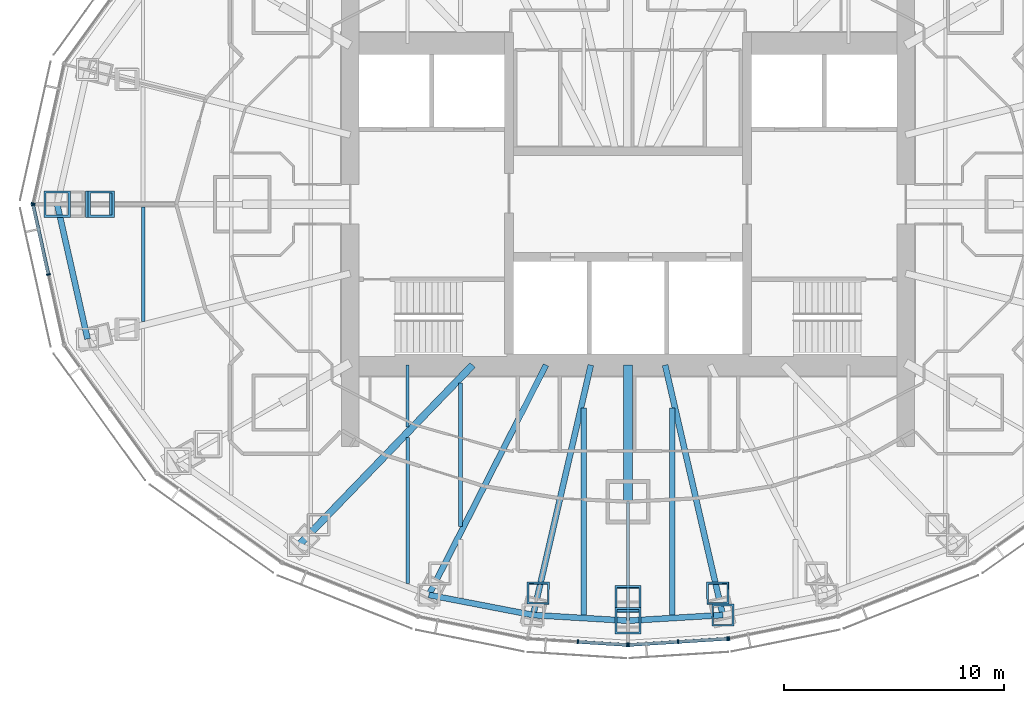
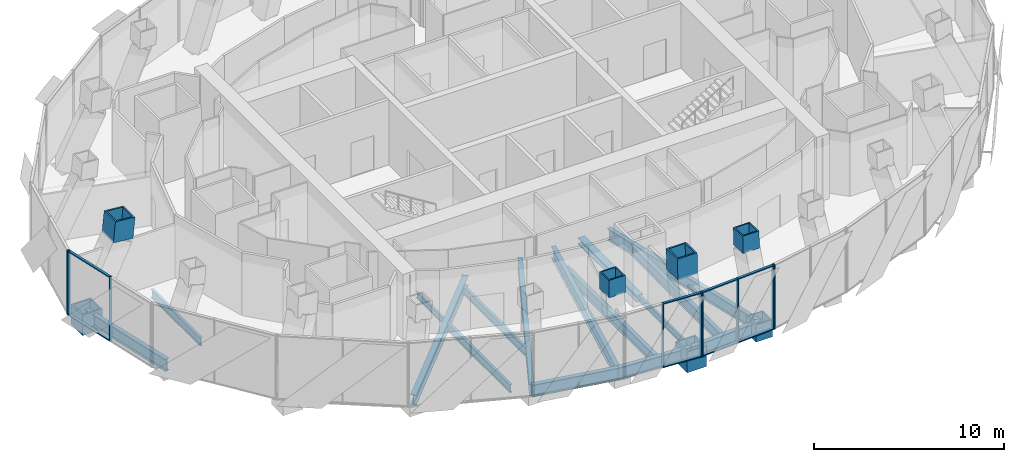
# One storey, part 3 of 18: 24 members, 16 beams, 5 elements without a shape of their own.
"""IFC4 building model written with IfcOpenShell, lengths in metres."""

from ifc_helpers import new_model, si_unit, direction, frame, origin, origin_2d, place, context, subcontext, project, spatial, rectangle, hollow_rectangle, i_section, extrude, material, material_profile, profile_set, type_object, element, aggregate, save


model = new_model("IFC4")

# Units and contexts
model_context = context("Model", 3, precision=1e-05, world=origin(), true_north=direction((0.0, 1.0)))
body_context = subcontext(model_context, "Body", "Model", "MODEL_VIEW")
ifc_project = project(units=[si_unit("LENGTHUNIT", "METRE"), si_unit("AREAUNIT", "SQUARE_METRE"), si_unit("VOLUMEUNIT", "CUBIC_METRE"), si_unit("PLANEANGLEUNIT", "RADIAN"), si_unit("MASSUNIT", "GRAM", prefix="KILO")], contexts=[model_context])

# Site, building, storey
site_placement = place(None, origin())
site = spatial("IfcSite", under=ifc_project, at=site_placement, CompositionType="ELEMENT")
building_placement = place(site_placement, origin())
building = spatial("IfcBuilding", under=site, at=building_placement, Name="Lantaw Convention Tower", CompositionType="ELEMENT")
storey_placement = place(building_placement, frame((0.0, 0.0, 266.199951171875)))
storey = spatial("IfcBuildingStorey", under=building, at=storey_placement, Name="L62", CompositionType="ELEMENT", Elevation=266.199951171875)

# Beams
ifc_material_1 = material(Name="Steel ASTM A992", Category="steel")
ifc_material_profile_1 = material_profile(ifc_material_1, i_section(OverallWidth=0.2666015625, OverallDepth=0.76953125, WebThickness=0.015625, FlangeThickness=0.025390625, FilletRadius=0.0126953125, at=origin_2d()), Name="W30X132")
ifc_profile_set_1 = profile_set([ifc_material_profile_1], Name="Steel ASTM A992")
beam_type_1 = type_object("IfcBeamType", Name="Beam E W30X132", PredefinedType="SPANDREL", material=ifc_profile_set_1)
beam_1_placement = place(storey_placement, frame((-25.89990234375, 0.0, -0.53466796875), z_axis=(0.219857926596, -0.97553190215, 0.0), x_axis=(0.97553190215, 0.219857926596, 0.0)))
element("IfcBeam", 1, at=beam_1_placement, inside=storey, type_object=beam_type_1, Name="Edge beam 13", PredefinedType="SPANDREL", context=body_context, shape_type="SweptSolid", body=[
    extrude(i_section(OverallWidth=0.2666015625, OverallDepth=0.76953125, WebThickness=0.015625, FlangeThickness=0.025390625, FilletRadius=0.0126953125, at=origin_2d()), origin(), (0.0, 0.0, 1.0), 6.267333984375),
])
beam_2_placement = place(storey_placement, frame((-9.03466796875, -17.7314453125, -0.53466796875), z_axis=(0.981972091702, -0.189025953556, 0.0), x_axis=(0.189025953556, 0.981972091702, 0.0)))
element("IfcBeam", 2, at=beam_2_placement, inside=storey, type_object=beam_type_1, Name="Edge beam 17", PredefinedType="SPANDREL", context=body_context, shape_type="SweptSolid", body=[
    extrude(i_section(OverallWidth=0.2666015625, OverallDepth=0.76953125, WebThickness=0.015625, FlangeThickness=0.025390625, FilletRadius=0.0126953125, at=origin_2d()), origin(), (0.0, 0.0, 1.0), 4.817626953125),
])
for number, where, z_axis, x_axis, name in (
    (3, (-4.303955078125, -18.64208984375, -0.53466796875), (0.998210730897, -0.059794119452, 0.0), (0.059794119452, 0.998210730897, 0.0), "Edge beam 18"),
    (4, (0.0, -18.89990234375, -0.53466796875), (0.998210730897, 0.059794119452, 0.0), (-0.059794119452, 0.998210730897, 0.0), "Edge beam 19"),
):
    element("IfcBeam", number, at=place(storey_placement, frame(where, z_axis=z_axis, x_axis=x_axis)), inside=storey, type_object=beam_type_1, Name=name, PredefinedType="SPANDREL", context=body_context, shape_type="SweptSolid", body=[
        extrude(i_section(OverallWidth=0.2666015625, OverallDepth=0.76953125, WebThickness=0.015625, FlangeThickness=0.025390625, FilletRadius=0.0126953125, at=origin_2d()), origin(), (0.0, 0.0, 1.0), 4.311767578125),
    ])
ifc_material_profile_2 = material_profile(ifc_material_1, i_section(OverallWidth=0.140380859375, OverallDepth=0.40380859375, WebThickness=0.007080078125, FlangeThickness=0.01123046875, FilletRadius=0.01025390625, at=origin_2d()), Name="W16X31")
ifc_profile_set_2 = profile_set([ifc_material_profile_2], Name="Steel ASTM A992")
beam_type_2 = type_object("IfcBeamType", Name="Beam G W16X31", PredefinedType="BEAM", material=ifc_profile_set_2)
beam_3_placement = place(storey_placement, frame((0.0, -13.5, -0.351806640625), z_axis=(0.0, -1.0, 0.0), x_axis=(1.0, 0.0, 0.0)))
element("IfcBeam", 5, at=beam_3_placement, inside=storey, type_object=beam_type_2, Name="Floor girder on ray 19", PredefinedType="BEAM", context=body_context, shape_type="SweptSolid", body=[
    extrude(i_section(OverallWidth=0.140380859375, OverallDepth=0.40380859375, WebThickness=0.007080078125, FlangeThickness=0.01123046875, FilletRadius=0.01025390625, at=origin_2d()), origin(), (0.0, 0.0, 1.0), 5.39990234375),
])
ifc_material_profile_3 = material_profile(ifc_material_1, i_section(OverallWidth=0.32763671875, OverallDepth=0.64013671875, WebThickness=0.01904296875, FlangeThickness=0.033935546875, FilletRadius=0.0126953125, at=origin_2d()), Name="W24X176")
ifc_profile_set_3 = profile_set([ifc_material_profile_3], Name="Steel ASTM A992")
beam_type_3 = type_object("IfcBeamType", Name="Beam G W24X176", PredefinedType="BEAM", material=ifc_profile_set_3)
beam_4_placement = place(storey_placement, frame((-7.049560546875, -7.300048828125, -0.469970703125), z_axis=(-0.694657766726, -0.719340383356, 0.0), x_axis=(0.719340383356, -0.694657766726, 0.0)))
element("IfcBeam", 6, at=beam_4_placement, inside=storey, type_object=beam_type_3, Name="Floor girder on ray 16", PredefinedType="BEAM", context=body_context, shape_type="SweptSolid", body=[
    extrude(i_section(OverallWidth=0.32763671875, OverallDepth=0.64013671875, WebThickness=0.01904296875, FlangeThickness=0.033935546875, FilletRadius=0.0126953125, at=origin_2d()), origin(), (0.0, 0.0, 1.0), 11.364990234375),
])
ifc_material_profile_4 = material_profile(ifc_material_1, i_section(OverallWidth=0.2666015625, OverallDepth=0.7568359375, WebThickness=0.013916015625, FlangeThickness=0.019287109375, FilletRadius=0.0126953125, at=origin_2d()), Name="W30X108")
ifc_profile_set_4 = profile_set([ifc_material_profile_4], Name="Steel ASTM A992")
beam_type_4 = type_object("IfcBeamType", Name="Beam G W30X108", PredefinedType="BEAM", material=ifc_profile_set_4)
beam_5_placement = place(storey_placement, frame((-3.719482421875, -7.300048828125, -0.5283203125), z_axis=(-0.4539988787, -0.891002254845, 0.0), x_axis=(0.891002254845, -0.4539988787, 0.0)))
element("IfcBeam", 7, at=beam_5_placement, inside=storey, type_object=beam_type_4, Name="Floor girder on ray 17", PredefinedType="BEAM", context=body_context, shape_type="SweptSolid", body=[
    extrude(i_section(OverallWidth=0.2666015625, OverallDepth=0.7568359375, WebThickness=0.013916015625, FlangeThickness=0.019287109375, FilletRadius=0.0126953125, at=origin_2d()), origin(), (0.0, 0.0, 1.0), 11.70751953125),
])
for number, where, z_axis, x_axis, name in (
    (8, (-1.685302734375, -7.300048828125, -0.5283203125), (-0.224962134377, -0.974367506692, 0.0), (0.974367506692, -0.224962134377, 0.0), "Floor girder on ray 18"),
    (9, (1.685302734375, -7.300048828125, -0.5283203125), (0.224962134377, -0.974367506692, 0.0), (0.974367506692, 0.224962134377, 0.0), "Floor girder on ray 20"),
):
    element("IfcBeam", number, at=place(storey_placement, frame(where, z_axis=z_axis, x_axis=x_axis)), inside=storey, type_object=beam_type_4, Name=name, PredefinedType="BEAM", context=body_context, shape_type="SweptSolid", body=[
        extrude(i_section(OverallWidth=0.2666015625, OverallDepth=0.7568359375, WebThickness=0.013916015625, FlangeThickness=0.019287109375, FilletRadius=0.0126953125, at=origin_2d()), origin(), (0.0, 0.0, 1.0), 11.640380859375),
    ])
ifc_material_profile_5 = material_profile(ifc_material_1, i_section(OverallWidth=0.40380859375, OverallDepth=0.406494140625, WebThickness=0.027099609375, FlangeThickness=0.043701171875, FilletRadius=0.01513671875, at=origin_2d()), Name="W14X233")
ifc_profile_set_5 = profile_set([ifc_material_profile_5], Name="Steel ASTM A992")
beam_type_5 = type_object("IfcBeamType", Name="Beam GM W14X233", PredefinedType="BEAM", material=ifc_profile_set_5)
beam_6_placement = place(storey_placement, frame((0.0, -7.300048828125, -0.353271484375), z_axis=(0.0, -1.0, 0.0), x_axis=(1.0, 0.0, 0.0)))
element("IfcBeam", 10, at=beam_6_placement, inside=storey, type_object=beam_type_5, Name="Core link beam on ray 19", PredefinedType="BEAM", context=body_context, shape_type="SweptSolid", body=[
    extrude(i_section(OverallWidth=0.40380859375, OverallDepth=0.406494140625, WebThickness=0.027099609375, FlangeThickness=0.043701171875, FilletRadius=0.01513671875, at=origin_2d()), origin(), (0.0, 0.0, 1.0), 6.199951171875),
])
ifc_material_profile_6 = material_profile(ifc_material_1, i_section(OverallWidth=0.140380859375, OverallDepth=0.40380859375, WebThickness=0.007080078125, FlangeThickness=0.01123046875, FilletRadius=0.01025390625, at=origin_2d()), Name="W16X31")
ifc_profile_set_6 = profile_set([ifc_material_profile_6], Name="Steel ASTM A992")
beam_type_6 = type_object("IfcBeamType", Name="Beam J W16X31", PredefinedType="JOIST", material=ifc_profile_set_6)
beam_7_placement = place(storey_placement, frame((-10.0, -10.119384765625, -0.351806640625), z_axis=(0.0, 1.0, 0.0), x_axis=(-1.0, 0.0, 0.0)))
element("IfcBeam", 11, at=beam_7_placement, inside=storey, type_object=beam_type_6, Name="Floor joist", PredefinedType="JOIST", context=body_context, shape_type="SweptSolid", body=[
    extrude(i_section(OverallWidth=0.140380859375, OverallDepth=0.40380859375, WebThickness=0.007080078125, FlangeThickness=0.01123046875, FilletRadius=0.01025390625, at=origin_2d()), origin(), (0.0, 0.0, 1.0), 2.8193359375),
])
ifc_material_profile_7 = material_profile(ifc_material_1, i_section(OverallWidth=0.1650390625, OverallDepth=0.52587890625, WebThickness=0.0087890625, FlangeThickness=0.011474609375, FilletRadius=0.0126953125, at=origin_2d()), Name="W21X44")
ifc_profile_set_7 = profile_set([ifc_material_profile_7], Name="Steel ASTM A992")
beam_type_7 = type_object("IfcBeamType", Name="Beam J W21X44", PredefinedType="JOIST", material=ifc_profile_set_7)
beam_8_placement = place(storey_placement, frame((-22.0, -5.326904296875, -0.412841796875), z_axis=(0.0, 1.0, 0.0), x_axis=(-1.0, 0.0, 0.0)))
element("IfcBeam", 12, at=beam_8_placement, inside=storey, type_object=beam_type_7, Name="Floor joist", PredefinedType="JOIST", context=body_context, shape_type="SweptSolid", body=[
    extrude(i_section(OverallWidth=0.1650390625, OverallDepth=0.52587890625, WebThickness=0.0087890625, FlangeThickness=0.011474609375, FilletRadius=0.0126953125, at=origin_2d()), origin(), (0.0, 0.0, 1.0), 5.199951171875),
])
beam_9_placement = place(storey_placement, frame((-10.0, -17.22021484375, -0.412841796875), z_axis=(0.0, 1.0, 0.0), x_axis=(-1.0, 0.0, 0.0)))
element("IfcBeam", 13, at=beam_9_placement, inside=storey, type_object=beam_type_7, Name="Floor joist", PredefinedType="JOIST", context=body_context, shape_type="SweptSolid", body=[
    extrude(i_section(OverallWidth=0.1650390625, OverallDepth=0.52587890625, WebThickness=0.0087890625, FlangeThickness=0.011474609375, FilletRadius=0.0126953125, at=origin_2d()), origin(), (0.0, 0.0, 1.0), 6.629150390625),
])
beam_10_placement = place(storey_placement, frame((-7.60009765625, -14.6220703125, -0.412841796875), z_axis=(0.0, 1.0, 0.0), x_axis=(-1.0, 0.0, 0.0)))
element("IfcBeam", 14, at=beam_10_placement, inside=storey, type_object=beam_type_7, Name="Floor joist", PredefinedType="JOIST", context=body_context, shape_type="SweptSolid", body=[
    extrude(i_section(OverallWidth=0.1650390625, OverallDepth=0.52587890625, WebThickness=0.0087890625, FlangeThickness=0.011474609375, FilletRadius=0.0126953125, at=origin_2d()), origin(), (0.0, 0.0, 1.0), 6.51611328125),
])
ifc_material_profile_8 = material_profile(ifc_material_1, i_section(OverallWidth=0.25390625, OverallDepth=0.683349609375, WebThickness=0.012451171875, FlangeThickness=0.01904296875, FilletRadius=0.01513671875, at=origin_2d()), Name="W27X94")
ifc_profile_set_8 = profile_set([ifc_material_profile_8], Name="Steel ASTM A992")
beam_type_8 = type_object("IfcBeamType", Name="Beam J W27X94", PredefinedType="JOIST", material=ifc_profile_set_8)
for number, where, z_axis, x_axis, name in (
    (15, (-2.0, -18.646484375, -0.49169921875), (0.0, 1.0, 0.0), (-1.0, 0.0, 0.0), "Floor joist"),
    (16, (2.0, -18.646484375, -0.49169921875), (0.0, 1.0, 0.0), (-1.0, 0.0, 0.0), "Floor joist"),
):
    element("IfcBeam", number, at=place(storey_placement, frame(where, z_axis=z_axis, x_axis=x_axis)), inside=storey, type_object=beam_type_8, Name=name, PredefinedType="JOIST", context=body_context, shape_type="SweptSolid", body=[
        extrude(i_section(OverallWidth=0.25390625, OverallDepth=0.683349609375, WebThickness=0.012451171875, FlangeThickness=0.01904296875, FilletRadius=0.01513671875, at=origin_2d()), origin(), (0.0, 0.0, 1.0), 9.390625),
    ])

# Curtain wall, member
ifc_material_2 = material(Name="Aluminium framed curtain wall", Category="aluminium")
curtain_wall_type = type_object("IfcCurtainWallType", Name="Office curtain wall high rise, pale aluminium", PredefinedType="USERDEFINED", material=ifc_material_2)
curtain_wall_1_placement = place(storey_placement, origin())
curtain_wall_1 = element("IfcCurtainWall", 17, at=curtain_wall_1_placement, inside=storey, type_object=curtain_wall_type, Name="Office curtain wall high rise, pale aluminium L62", ObjectType="UNITISED CURTAIN WALL", PredefinedType="USERDEFINED")
ifc_material_3 = material(Name="Aluminium 6063-T6", Category="aluminium")
ifc_material_profile_9 = material_profile(ifc_material_3, rectangle(XDim=0.179931640625, YDim=0.06494140625, at=origin_2d()), Name="CW-O2 mullion 65x180")
ifc_profile_set_9 = profile_set([ifc_material_profile_9], Name="Aluminium 6063-T6")
member_type_1 = type_object("IfcMemberType", Name="CW-O2 mullion 65x180", PredefinedType="MULLION", material=ifc_profile_set_9)
member_1_placement = place(storey_placement, frame((-26.992919921875, 0.03173828125, -0.14990234375), z_axis=(0.0, 0.0, 1.0), x_axis=(0.976417396437, -0.215891333626, 0.0)))
member_1 = element("IfcMember", 18, at=member_1_placement, type_object=member_type_1, Name="CW-O2 mullion 3", PredefinedType="MULLION", context=body_context, shape_type="SweptSolid", body=[
    extrude(rectangle(XDim=0.179931640625, YDim=0.06494140625, at=origin_2d()), origin(), (0.0, 0.0, 1.0), 4.14990234375),
])
aggregate(curtain_wall_1, [member_1])

# Curtain wall, members
curtain_wall_2_placement = place(storey_placement, origin())
curtain_wall_2 = element("IfcCurtainWall", 19, at=curtain_wall_2_placement, inside=storey, type_object=curtain_wall_type, Name="Office curtain wall high rise, pale aluminium L62", ObjectType="UNITISED CURTAIN WALL", PredefinedType="USERDEFINED")
member_2_placement = place(storey_placement, frame((-26.992919921875, -0.03173828125, -0.14990234375), z_axis=(0.0, 0.0, 1.0), x_axis=(0.976417396437, 0.215891333626, 0.0)))
member_2 = element("IfcMember", 20, at=member_2_placement, type_object=member_type_1, Name="CW-O2 mullion 1", PredefinedType="MULLION", context=body_context, shape_type="SweptSolid", body=[
    extrude(rectangle(XDim=0.179931640625, YDim=0.06494140625, at=origin_2d()), origin(), (0.0, 0.0, 1.0), 4.14990234375),
])
member_3_placement = place(storey_placement, frame((-26.294677734375, -3.190185546875, -0.14990234375), z_axis=(0.0, 0.0, 1.0), x_axis=(0.976417396437, 0.215891333626, 0.0)))
member_3 = element("IfcMember", 21, at=member_3_placement, type_object=member_type_1, Name="CW-O2 mullion 2", PredefinedType="MULLION", context=body_context, shape_type="SweptSolid", body=[
    extrude(rectangle(XDim=0.179931640625, YDim=0.06494140625, at=origin_2d()), origin(), (0.0, 0.0, 1.0), 4.14990234375),
])

curtain_wall_3_placement = place(storey_placement, origin())
curtain_wall_3 = element("IfcCurtainWall", 22, at=curtain_wall_3_placement, inside=storey, type_object=curtain_wall_type, Name="Office curtain wall high rise, pale aluminium L62", ObjectType="UNITISED CURTAIN WALL", PredefinedType="USERDEFINED")
member_4_placement = place(storey_placement, frame((-2.275634765625, -19.85693359375, -0.14990234375), z_axis=(0.0, 0.0, 1.0), x_axis=(0.062757983884, 0.998028774865, 0.0)))
member_4 = element("IfcMember", 23, at=member_4_placement, type_object=member_type_1, Name="CW-O2 mullion 2", PredefinedType="MULLION", context=body_context, shape_type="SweptSolid", body=[
    extrude(rectangle(XDim=0.179931640625, YDim=0.06494140625, at=origin_2d()), origin(), (0.0, 0.0, 1.0), 4.14990234375),
])
member_5_placement = place(storey_placement, frame((-0.032470703125, -19.998046875, -0.14990234375), z_axis=(0.0, 0.0, 1.0), x_axis=(0.062757983884, 0.998028774865, 0.0)))
member_5 = element("IfcMember", 24, at=member_5_placement, type_object=member_type_1, Name="CW-O2 mullion 3", PredefinedType="MULLION", context=body_context, shape_type="SweptSolid", body=[
    extrude(rectangle(XDim=0.179931640625, YDim=0.06494140625, at=origin_2d()), origin(), (0.0, 0.0, 1.0), 4.14990234375),
])

curtain_wall_4_placement = place(storey_placement, origin())
curtain_wall_4 = element("IfcCurtainWall", 25, at=curtain_wall_4_placement, inside=storey, type_object=curtain_wall_type, Name="Office curtain wall high rise, pale aluminium L62", ObjectType="UNITISED CURTAIN WALL", PredefinedType="USERDEFINED")
member_6_placement = place(storey_placement, frame((0.032470703125, -19.998046875, -0.14990234375), z_axis=(0.0, 0.0, 1.0), x_axis=(-0.062757983884, 0.998028774865, 0.0)))
member_6 = element("IfcMember", 26, at=member_6_placement, type_object=member_type_1, Name="CW-O2 mullion 1", PredefinedType="MULLION", context=body_context, shape_type="SweptSolid", body=[
    extrude(rectangle(XDim=0.179931640625, YDim=0.06494140625, at=origin_2d()), origin(), (0.0, 0.0, 1.0), 4.14990234375),
])
member_7_placement = place(storey_placement, frame((2.275634765625, -19.85693359375, -0.14990234375), z_axis=(0.0, 0.0, 1.0), x_axis=(-0.062757983884, 0.998028774865, 0.0)))
member_7 = element("IfcMember", 27, at=member_7_placement, type_object=member_type_1, Name="CW-O2 mullion 2", PredefinedType="MULLION", context=body_context, shape_type="SweptSolid", body=[
    extrude(rectangle(XDim=0.179931640625, YDim=0.06494140625, at=origin_2d()), origin(), (0.0, 0.0, 1.0), 4.14990234375),
])
member_8_placement = place(storey_placement, frame((4.518798828125, -19.7158203125, -0.14990234375), z_axis=(0.0, 0.0, 1.0), x_axis=(-0.062757983884, 0.998028774865, 0.0)))
member_8 = element("IfcMember", 28, at=member_8_placement, type_object=member_type_1, Name="CW-O2 mullion 3", PredefinedType="MULLION", context=body_context, shape_type="SweptSolid", body=[
    extrude(rectangle(XDim=0.179931640625, YDim=0.06494140625, at=origin_2d()), origin(), (0.0, 0.0, 1.0), 4.14990234375),
])

# Curtain wall, member
curtain_wall_5_placement = place(storey_placement, origin())
curtain_wall_5 = element("IfcCurtainWall", 29, at=curtain_wall_5_placement, inside=storey, type_object=curtain_wall_type, Name="Office curtain wall high rise, pale aluminium L62", ObjectType="UNITISED CURTAIN WALL", PredefinedType="USERDEFINED")
member_9_placement = place(storey_placement, frame((4.583251953125, -19.70751953125, -0.14990234375), z_axis=(0.0, 0.0, 1.0), x_axis=(-0.197183095987, 0.980366679695, 0.0)))
member_9 = element("IfcMember", 30, at=member_9_placement, type_object=member_type_1, Name="CW-O2 mullion 1", PredefinedType="MULLION", context=body_context, shape_type="SweptSolid", body=[
    extrude(rectangle(XDim=0.179931640625, YDim=0.06494140625, at=origin_2d()), origin(), (0.0, 0.0, 1.0), 4.14990234375),
])
aggregate(curtain_wall_5, [member_9])

# Member
ifc_material_profile_10 = material_profile(ifc_material_3, rectangle(XDim=0.14990234375, YDim=0.06494140625, at=origin_2d()), Name="CW-O2 transom 65x150")
ifc_profile_set_10 = profile_set([ifc_material_profile_10], Name="Aluminium 6063-T6")
member_type_2 = type_object("IfcMemberType", Name="CW-O2 transom 65x150", PredefinedType="USERDEFINED", material=ifc_profile_set_10)
member_10_placement = place(storey_placement, frame((-26.986083984375, -0.0634765625, -0.117431640625), z_axis=(0.215894607042, -0.976416672661, 0.0), x_axis=(0.976416672661, 0.215894607042, 0.0)))
member_10 = element("IfcMember", 31, at=member_10_placement, type_object=member_type_2, Name="CW-O2 transom 1.1", ObjectType="TRANSOM", PredefinedType="USERDEFINED", context=body_context, shape_type="SweptSolid", body=[
    extrude(rectangle(XDim=0.14990234375, YDim=0.06494140625, at=origin_2d()), origin(), (0.0, 0.0, 1.0), 3.169677734375),
])

member_11_placement = place(storey_placement, frame((-26.986083984375, -0.0634765625, 3.967529296875), z_axis=(0.215894607042, -0.976416672661, 0.0), x_axis=(0.976416672661, 0.215894607042, 0.0)))
member_11 = element("IfcMember", 32, at=member_11_placement, type_object=member_type_2, Name="CW-O2 transom 1.2", ObjectType="TRANSOM", PredefinedType="USERDEFINED", context=body_context, shape_type="SweptSolid", body=[
    extrude(rectangle(XDim=0.14990234375, YDim=0.06494140625, at=origin_2d()), origin(), (0.0, 0.0, 1.0), 3.169677734375),
])

aggregate(curtain_wall_2, [member_2, member_3, member_10, member_11])

member_12_placement = place(storey_placement, frame((-2.2431640625, -19.85888671875, -0.117431640625), z_axis=(0.998029003644, -0.062754345555, 0.0), x_axis=(0.062754345555, 0.998029003644, 0.0)))
member_12 = element("IfcMember", 33, at=member_12_placement, type_object=member_type_2, Name="CW-O2 transom 2.1", ObjectType="TRANSOM", PredefinedType="USERDEFINED", context=body_context, shape_type="SweptSolid", body=[
    extrude(rectangle(XDim=0.14990234375, YDim=0.06494140625, at=origin_2d()), origin(), (0.0, 0.0, 1.0), 2.1826171875),
])

member_13_placement = place(storey_placement, frame((-2.2431640625, -19.85888671875, 3.967529296875), z_axis=(0.998029003644, -0.062754345555, 0.0), x_axis=(0.062754345555, 0.998029003644, 0.0)))
member_13 = element("IfcMember", 34, at=member_13_placement, type_object=member_type_2, Name="CW-O2 transom 2.2", ObjectType="TRANSOM", PredefinedType="USERDEFINED", context=body_context, shape_type="SweptSolid", body=[
    extrude(rectangle(XDim=0.14990234375, YDim=0.06494140625, at=origin_2d()), origin(), (0.0, 0.0, 1.0), 2.1826171875),
])

aggregate(curtain_wall_3, [member_4, member_5, member_12, member_13])

member_14_placement = place(storey_placement, frame((0.06494140625, -19.995849609375, -0.117431640625), z_axis=(0.998029003644, 0.062754345555, 0.0), x_axis=(-0.062754345555, 0.998029003644, 0.0)))
member_14 = element("IfcMember", 35, at=member_14_placement, type_object=member_type_2, Name="CW-O2 transom 1.1", ObjectType="TRANSOM", PredefinedType="USERDEFINED", context=body_context, shape_type="SweptSolid", body=[
    extrude(rectangle(XDim=0.14990234375, YDim=0.06494140625, at=origin_2d()), origin(), (0.0, 0.0, 1.0), 2.1826171875),
])

member_15_placement = place(storey_placement, frame((0.06494140625, -19.995849609375, 3.967529296875), z_axis=(0.998029003644, 0.062754345555, 0.0), x_axis=(-0.062754345555, 0.998029003644, 0.0)))
member_15 = element("IfcMember", 36, at=member_15_placement, type_object=member_type_2, Name="CW-O2 transom 1.2", ObjectType="TRANSOM", PredefinedType="USERDEFINED", context=body_context, shape_type="SweptSolid", body=[
    extrude(rectangle(XDim=0.14990234375, YDim=0.06494140625, at=origin_2d()), origin(), (0.0, 0.0, 1.0), 2.1826171875),
])

member_16_placement = place(storey_placement, frame((2.30810546875, -19.85498046875, -0.117431640625), z_axis=(0.998021991509, 0.062865765437, 0.0), x_axis=(-0.062865765437, 0.998021991509, 0.0)))
member_16 = element("IfcMember", 37, at=member_16_placement, type_object=member_type_2, Name="CW-O2 transom 2.1", ObjectType="TRANSOM", PredefinedType="USERDEFINED", context=body_context, shape_type="SweptSolid", body=[
    extrude(rectangle(XDim=0.14990234375, YDim=0.06494140625, at=origin_2d()), origin(), (0.0, 0.0, 1.0), 2.1826171875),
])

member_17_placement = place(storey_placement, frame((2.30810546875, -19.85498046875, 3.967529296875), z_axis=(0.998021991509, 0.062865765437, 0.0), x_axis=(-0.062865765437, 0.998021991509, 0.0)))
member_17 = element("IfcMember", 38, at=member_17_placement, type_object=member_type_2, Name="CW-O2 transom 2.2", ObjectType="TRANSOM", PredefinedType="USERDEFINED", context=body_context, shape_type="SweptSolid", body=[
    extrude(rectangle(XDim=0.14990234375, YDim=0.06494140625, at=origin_2d()), origin(), (0.0, 0.0, 1.0), 2.1826171875),
])

aggregate(curtain_wall_4, [member_6, member_7, member_8, member_14, member_15, member_16, member_17])

# Members
ifc_material_4 = material(Name="Cast steel ASTM A148 Grade 80-50", Category="steel")
ifc_material_profile_11 = material_profile(ifc_material_4, hollow_rectangle(XDim=1.0, YDim=1.0, WallThickness=0.080078125, at=origin_2d()), Name="BOX1000X80")
ifc_profile_set_11 = profile_set([ifc_material_profile_11], Name="Cast steel ASTM A148 Grade 80-50")
member_type_3 = type_object("IfcMemberType", Name="Member CN BOX1000X80", PredefinedType="USERDEFINED", material=ifc_profile_set_11)
member_18_placement = place(storey_placement, frame((-4.079833984375, -17.67138671875, 4.078369140625), z_axis=(0.006211651318, 0.0263995181, 0.999632172768), x_axis=(0.999971902648, -0.004358948699, -0.00609864589)))
element("IfcMember", 39, at=member_18_placement, inside=storey, type_object=member_type_3, Name="Cast steel column node", ObjectType="COLUMN NODE", PredefinedType="USERDEFINED", context=body_context, shape_type="SweptSolid", body=[
    extrude(hollow_rectangle(XDim=1.0, YDim=1.0, WallThickness=0.080078125, at=origin_2d()), origin(), (0.0, 0.0, 1.0), 1.1005859375),
])
member_19_placement = place(storey_placement, frame((4.303955078125, -18.64208984375, -1.099853515625), z_axis=(0.0, 0.0, 1.0), x_axis=(1.0, 0.0, 0.0)))
element("IfcMember", 40, at=member_19_placement, inside=storey, type_object=member_type_3, Name="Cast steel column node", ObjectType="COLUMN NODE", PredefinedType="USERDEFINED", context=body_context, shape_type="SweptSolid", body=[
    extrude(hollow_rectangle(XDim=1.0, YDim=1.0, WallThickness=0.080078125, at=origin_2d()), origin(), (0.0, 0.0, 1.0), 1.099853515625),
])
member_20_placement = place(storey_placement, frame((4.079833984375, -17.67138671875, 4.078369140625), z_axis=(-0.006211651318, 0.0263995181, 0.999632172768), x_axis=(0.999971902648, 0.004358948699, 0.00609864589)))
element("IfcMember", 41, at=member_20_placement, inside=storey, type_object=member_type_3, Name="Cast steel column node", ObjectType="COLUMN NODE", PredefinedType="USERDEFINED", context=body_context, shape_type="SweptSolid", body=[
    extrude(hollow_rectangle(XDim=1.0, YDim=1.0, WallThickness=0.080078125, at=origin_2d()), origin(), (0.0, 0.0, 1.0), 1.1005859375),
])
ifc_material_profile_12 = material_profile(ifc_material_4, hollow_rectangle(XDim=1.199951171875, YDim=1.199951171875, WallThickness=0.10009765625, at=origin_2d()), Name="BOX1200X100")
ifc_profile_set_12 = profile_set([ifc_material_profile_12], Name="Cast steel ASTM A148 Grade 80-50")
member_type_4 = type_object("IfcMemberType", Name="Member CN BOX1200X100", PredefinedType="USERDEFINED", material=ifc_profile_set_12)
member_21_placement = place(storey_placement, frame((-25.89990234375, 0.0, -1.320068359375), z_axis=(0.0, 0.0, 1.0), x_axis=(1.0, 0.0, 0.0)))
element("IfcMember", 42, at=member_21_placement, inside=storey, type_object=member_type_4, Name="Cast steel column node", ObjectType="COLUMN NODE", PredefinedType="USERDEFINED", context=body_context, shape_type="SweptSolid", body=[
    extrude(hollow_rectangle(XDim=1.199951171875, YDim=1.199951171875, WallThickness=0.10009765625, at=origin_2d()), origin(), (0.0, 0.0, 1.0), 1.320068359375),
])
member_22_placement = place(storey_placement, frame((-24.024169921875, 0.0, 3.939208984375), z_axis=(0.093740052489, 0.0, 0.995596706784), x_axis=(0.995596706784, 0.0, -0.093740052489)))
element("IfcMember", 43, at=member_22_placement, inside=storey, type_object=member_type_4, Name="Cast steel column node", ObjectType="COLUMN NODE", PredefinedType="USERDEFINED", context=body_context, shape_type="SweptSolid", body=[
    extrude(hollow_rectangle(XDim=1.199951171875, YDim=1.199951171875, WallThickness=0.10009765625, at=origin_2d()), origin(), (0.0, 0.0, 1.0), 1.32568359375),
])
member_23_placement = place(storey_placement, frame((0.0, -18.89990234375, -1.320068359375), z_axis=(0.0, 0.0, 1.0), x_axis=(1.0, 0.0, 0.0)))
element("IfcMember", 44, at=member_23_placement, inside=storey, type_object=member_type_4, Name="Cast steel column node", ObjectType="COLUMN NODE", PredefinedType="USERDEFINED", context=body_context, shape_type="SweptSolid", body=[
    extrude(hollow_rectangle(XDim=1.199951171875, YDim=1.199951171875, WallThickness=0.10009765625, at=origin_2d()), origin(), (0.0, 0.0, 1.0), 1.320068359375),
])
member_24_placement = place(storey_placement, frame((0.0, -17.933837890625, 4.05810546875), z_axis=(0.0, 0.025698925874, 0.999669728065), x_axis=(1.0, 0.0, 0.0)))
element("IfcMember", 45, at=member_24_placement, inside=storey, type_object=member_type_4, Name="Cast steel column node", ObjectType="COLUMN NODE", PredefinedType="USERDEFINED", context=body_context, shape_type="SweptSolid", body=[
    extrude(hollow_rectangle(XDim=1.199951171875, YDim=1.199951171875, WallThickness=0.10009765625, at=origin_2d()), origin(), (0.0, 0.0, 1.0), 1.320556640625),
])

save(model, "model.ifc")
